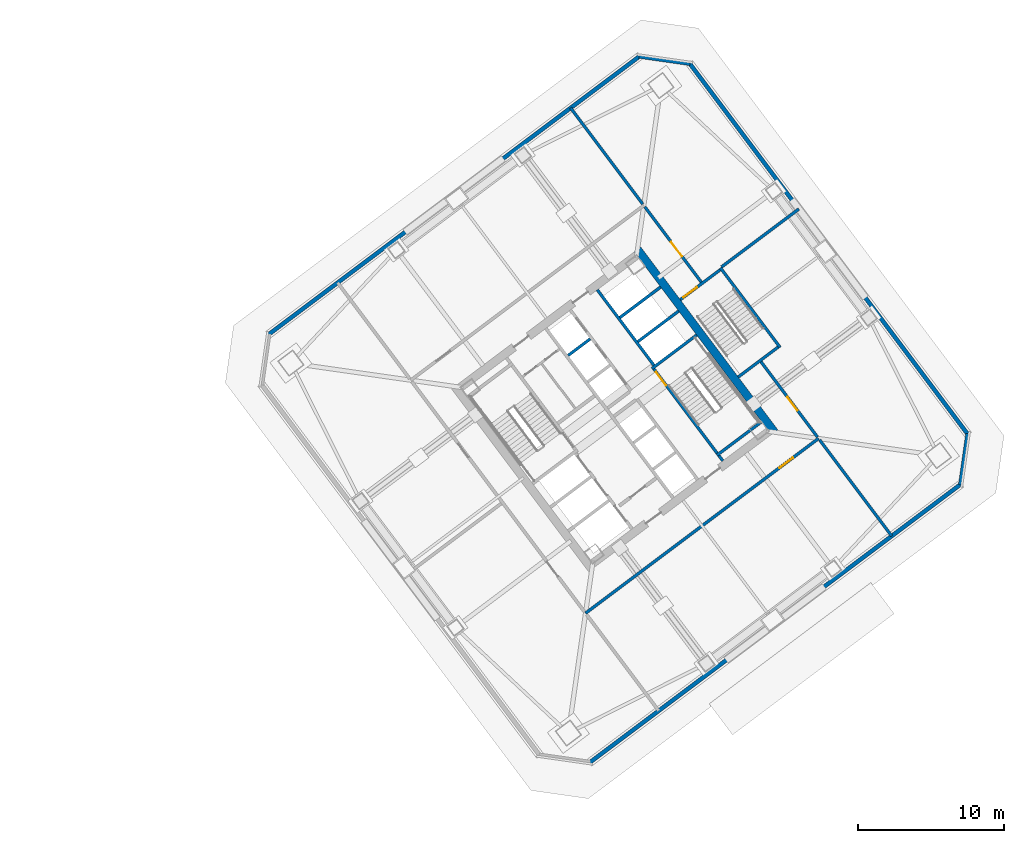
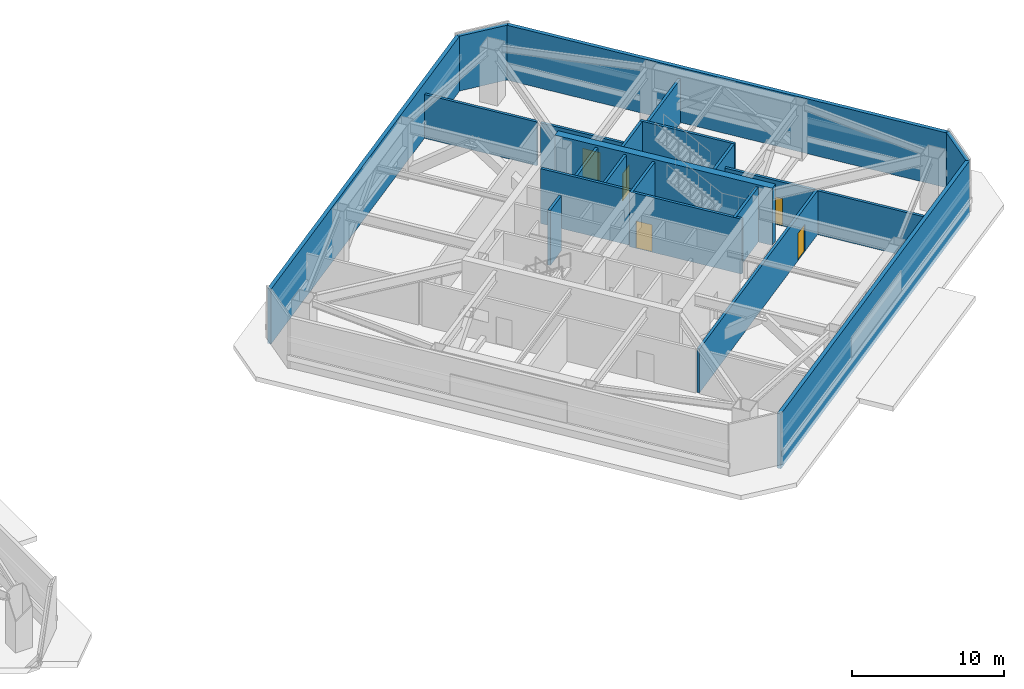
# One storey, part 8 of 15: 22 walls, 5 doors, 5 openings.
"""IFC4 building model written with IfcOpenShell, lengths in metres."""

from ifc_helpers import new_model, si_unit, direction, frame, frame_2d, origin, place, context, subcontext, project, spatial, rectangle, extrude, material, layer, layer_set, type_object, element, fill, save


model = new_model("IFC4")

# Units and contexts
model_context = context("Model", 3, precision=1e-05, world=origin(), true_north=direction((0.0, 1.0)))
body_context = subcontext(model_context, "Body", "Model", "MODEL_VIEW")
ifc_project = project(units=[si_unit("LENGTHUNIT", "METRE"), si_unit("AREAUNIT", "SQUARE_METRE"), si_unit("VOLUMEUNIT", "CUBIC_METRE"), si_unit("PLANEANGLEUNIT", "RADIAN"), si_unit("MASSUNIT", "GRAM", prefix="KILO")], contexts=[model_context])

# Site, building, storey
site_placement = place(None, origin())
site = spatial("IfcSite", under=ifc_project, at=site_placement, CompositionType="ELEMENT")
building_placement = place(site_placement, origin())
building = spatial("IfcBuilding", under=site, at=building_placement, Name="Tashvorn Skyway Center", CompositionType="ELEMENT")
storey_placement = place(building_placement, frame((0.0, 0.0, 109.800048828125)))
storey = spatial("IfcBuildingStorey", under=building, at=storey_placement, Name="L29", CompositionType="ELEMENT", Elevation=109.800048828125)

# Walls
ifc_material_1 = material(Name="Concrete C60/75", Category="concrete")
ifc_layer_1 = layer(ifc_material_1, 0.550048828125)
ifc_layer_set_1 = layer_set([ifc_layer_1], Name="Concrete C60/75")
wall_type_1 = type_object("IfcWallType", Name="WALL-CORE-550", PredefinedType="SHEAR", material=ifc_layer_set_1)
wall_1_placement = place(storey_placement, frame((115.56396484375, 42.923095703125, 0.0), z_axis=(0.0, 0.0, 1.0), x_axis=(0.600005007985, -0.799996243986, 0.0)))
element("IfcWall", 1, at=wall_1_placement, inside=storey, type_object=wall_type_1, Name="Tower 2 L29 East Core Shear Wall", PredefinedType="SHEAR", context=body_context, shape_type="SweptSolid", body=[
    extrude(rectangle(XDim=15.60009765625, YDim=0.550048828125, at=frame_2d((7.800048828125, 0.0))), origin(), (0.0, 0.0, 1.0), 4.599853515625),
])
ifc_material_2 = material(Name="Precast concrete C40/50", Category="concrete")
ifc_layer_2 = layer(ifc_material_2, 0.280029296875)
ifc_layer_set_2 = layer_set([ifc_layer_2], Name="Precast concrete C40/50")
wall_type_2 = type_object("IfcWallType", Name="WALL-EXT-280", PredefinedType="SOLIDWALL", material=ifc_layer_set_2)
for number, where, z_axis, x_axis, name in (
    (2, (137.672119140625, 26.904052734375, 0.0), (0.0, 0.0, 1.0), (-0.8, -0.6, 0.0), "Tower 2 L29 South Mechanical Belt Wall"),
    (3, (90.327880859375, 37.095947265625, 0.0), (0.0, 0.0, 1.0), (0.8, 0.6, 0.0), "Tower 2 L29 North Mechanical Belt Wall"),
    (4, (119.095947265625, 55.672119140625, 0.0), (0.0, 0.0, 1.0), (0.6, -0.8, 0.0), "Tower 2 L29 East Mechanical Belt Wall"),
):
    element("IfcWall", number, at=place(storey_placement, frame(where, z_axis=z_axis, x_axis=x_axis)), inside=storey, type_object=wall_type_2, Name=name, PredefinedType="SOLIDWALL", context=body_context, shape_type="SweptSolid", body=[
        extrude(rectangle(XDim=31.76025390625, YDim=0.280029296875, at=frame_2d((15.880126953125, 0.0))), origin(), (0.0, 0.0, 1.0), 4.419921875),
    ])
for number, where, z_axis, x_axis, name in (
    (5, (115.659912109375, 56.1201171875, 0.0), (0.0, 0.0, 1.0), (0.989949493661, -0.141421356237, 0.0), "Tower 2 L29 NE Precast Chamfer Wall"),
    (6, (138.1201171875, 30.340087890625, 0.0), (0.0, 0.0, 1.0), (-0.141421356237, -0.989949493661, 0.0), "Tower 2 L29 SE Precast Chamfer Wall"),
):
    element("IfcWall", number, at=place(storey_placement, frame(where, z_axis=z_axis, x_axis=x_axis)), inside=storey, type_object=wall_type_2, Name=name, PredefinedType="SOLIDWALL", context=body_context, shape_type="SweptSolid", body=[
        extrude(rectangle(XDim=3.53564453125, YDim=0.280029296875, at=frame_2d((1.767822265625, 0.0))), origin(), (0.0, 0.0, 1.0), 4.419921875),
    ])
ifc_material_3 = material(Name="Concrete C40/50", Category="concrete")
ifc_layer_3 = layer(ifc_material_3, 0.199951171875)
ifc_layer_set_3 = layer_set([ifc_layer_3], Name="Concrete C40/50")
wall_type_3 = type_object("IfcWallType", Name="WALL-SHAFT-200", PredefinedType="SOLIDWALL", material=ifc_layer_set_3)
for number, where, z_axis, x_axis, name in (
    (7, (115.590087890625, 36.6298828125, 0.0), (0.0, 0.0, 1.0), (0.799974743577, 0.600033673754, 0.0), "Tower 2 L29 High-Rise Shaft Divider"),
    (8, (114.360107421875, 38.27001953125, 0.0), (0.0, 0.0, 1.0), (0.800008418847, 0.599988774707, 0.0), "Tower 2 L29 High-Rise Shaft Divider"),
):
    element("IfcWall", number, at=place(storey_placement, frame(where, z_axis=z_axis, x_axis=x_axis)), inside=storey, type_object=wall_type_3, Name=name, PredefinedType="SOLIDWALL", context=body_context, shape_type="SweptSolid", body=[
        extrude(rectangle(XDim=3.47998046875, YDim=0.199951171875, at=frame_2d((1.739990234375, 0.0))), origin(), (0.0, 0.0, 1.0), 4.419921875),
    ])
wall_2_placement = place(storey_placement, frame((110.825927734375, 35.681884765625, 0.0), z_axis=(0.0, 0.0, 1.0), x_axis=(0.799984418148, 0.600020775241, 0.0)))
element("IfcWall", 9, at=wall_2_placement, inside=storey, type_object=wall_type_3, Name="Tower 2 L29 Mid-Rise Shaft Divider", PredefinedType="SOLIDWALL", context=body_context, shape_type="SweptSolid", body=[
    extrude(rectangle(XDim=1.880126953125, YDim=0.199951171875, at=frame_2d((0.93994140625, 0.0))), origin(), (0.0, 0.0, 1.0), 4.419921875),
])

# Wall, opening, door
wall_3_placement = place(storey_placement, frame((127.929931640625, 30.010009765625, 0.0), z_axis=(0.0, 0.0, 1.0), x_axis=(-0.8, -0.6, 0.0)))
wall_3 = element("IfcWall", 10, at=wall_3_placement, inside=storey, type_object=wall_type_3, Name="Tower 2 L29 Plant Corridor South Wall", PredefinedType="SOLIDWALL", context=body_context, shape_type="SweptSolid", body=[
    extrude(rectangle(XDim=19.89990234375, YDim=0.199951171875, at=frame_2d((9.949951171875, 0.0))), origin(), (0.0, 0.0, 1.0), 3.531005859375),
])
opening_1_placement = place(wall_3_placement, frame((2.199951171875, 0.0, 0.0)))
opening_1 = element("IfcOpeningElement", 11, at=opening_1_placement, cuts=wall_3, Name="Opening D-ST-1150", PredefinedType="OPENING", context=body_context, shape_type="SweptSolid", body=[
    extrude(rectangle(XDim=1.14990234375, YDim=2.199951171875, at=frame_2d((0.574951171875, 1.10009765625))), frame((0.0, 0.10986328125, 0.0), z_axis=(0.0, -1.0, 0.0), x_axis=(1.0, 0.0, 0.0)), (0.0, 0.0, 1.0), 0.219970703125),
])
ifc_material_4 = material(Name="Hollow galvanized steel fire door assembly", Category="steel")
door_type_1 = type_object("IfcDoorType", Name="DOOR-STAIR-1150", OperationType="NOTDEFINED", PredefinedType="DOOR", material=ifc_material_4)
door_1_placement = place(opening_1_placement, origin())
door_1 = element("IfcDoor", 12, at=door_1_placement, inside=storey, type_object=door_type_1, Name="Tower 2 L29 Fan Plant Door", OperationType="SINGLE_SWING_RIGHT", OverallHeight=2.199951171875, OverallWidth=1.14990234375, PredefinedType="DOOR", context=body_context, shape_type="SweptSolid", body=[
    extrude(rectangle(XDim=1.14990234375, YDim=2.199951171875, at=frame_2d((0.574951171875, 1.10009765625))), frame((0.0, 0.02490234375, 0.0), z_axis=(0.0, -1.0, 0.0), x_axis=(1.0, 0.0, 0.0)), (0.0, 0.0, 1.0), 0.050048828125),
])
fill(opening_1, door_1)

wall_4_placement = place(storey_placement, frame((116.06201171875, 45.833984375, 0.0), z_axis=(0.0, 0.0, 1.0), x_axis=(0.599987849816, -0.800009112494, 0.0)))
wall_4 = element("IfcWall", 13, at=wall_4_placement, inside=storey, type_object=wall_type_3, Name="Tower 2 L29 Plant Corridor East Wall", PredefinedType="SOLIDWALL", context=body_context, shape_type="SweptSolid", body=[
    extrude(rectangle(XDim=6.429931640625, YDim=0.199951171875, at=frame_2d((3.21484375, 0.0))), origin(), (0.0, 0.0, 1.0), 3.531005859375),
])
opening_2_placement = place(wall_4_placement, frame((3.0, 0.0, 0.0)))
opening_2 = element("IfcOpeningElement", 14, at=opening_2_placement, cuts=wall_4, Name="Opening D-FFL-1250", PredefinedType="OPENING", context=body_context, shape_type="SweptSolid", body=[
    extrude(rectangle(XDim=1.25, YDim=2.25, at=frame_2d((0.625, 1.125))), frame((0.0, 0.10986328125, 0.0), z_axis=(0.0, -1.0, 0.0), x_axis=(1.0, 0.0, 0.0)), (0.0, 0.0, 1.0), 0.219970703125),
])
door_type_2 = type_object("IfcDoorType", Name="DOOR-FFL-1250", OperationType="NOTDEFINED", PredefinedType="DOOR", material=ifc_material_4)
door_2_placement = place(opening_2_placement, origin())
door_2 = element("IfcDoor", 15, at=door_2_placement, inside=storey, type_object=door_type_2, Name="Tower 2 L29 East Refuge Area Door", OperationType="SINGLE_SWING_LEFT", OverallHeight=2.25, OverallWidth=1.25, PredefinedType="DOOR", context=body_context, shape_type="SweptSolid", body=[
    extrude(rectangle(XDim=1.25, YDim=2.25, at=frame_2d((0.625, 1.125))), frame((0.0, 0.02490234375, 0.0), z_axis=(0.0, -1.0, 0.0), x_axis=(1.0, 0.0, 0.0)), (0.0, 0.0, 1.0), 0.050048828125),
])
fill(opening_2, door_2)

wall_5_placement = place(storey_placement, frame((124.0, 35.25, 0.0), z_axis=(0.0, 0.0, 1.0), x_axis=(0.599987849816, -0.800009112494, 0.0)))
wall_5 = element("IfcWall", 16, at=wall_5_placement, inside=storey, type_object=wall_type_3, Name="Tower 2 L29 Plant Corridor East Wall South", PredefinedType="SOLIDWALL", context=body_context, shape_type="SweptSolid", body=[
    extrude(rectangle(XDim=6.429931640625, YDim=0.199951171875, at=frame_2d((3.21484375, 0.0))), origin(), (0.0, 0.0, 1.0), 3.531005859375),
])
opening_3_placement = place(wall_5_placement, frame((3.0, 0.0, 0.0)))
opening_3 = element("IfcOpeningElement", 17, at=opening_3_placement, cuts=wall_5, Name="Opening D-ST-1150", PredefinedType="OPENING", context=body_context, shape_type="SweptSolid", body=[
    extrude(rectangle(XDim=1.14990234375, YDim=2.199951171875, at=frame_2d((0.574951171875, 1.10009765625))), frame((0.0, 0.10986328125, 0.0), z_axis=(0.0, -1.0, 0.0), x_axis=(1.0, 0.0, 0.0)), (0.0, 0.0, 1.0), 0.219970703125),
])
door_3_placement = place(opening_3_placement, origin())
door_3 = element("IfcDoor", 18, at=door_3_placement, inside=storey, type_object=door_type_1, Name="Tower 2 L29 Switchgear Plant Door", OperationType="SINGLE_SWING_RIGHT", OverallHeight=2.199951171875, OverallWidth=1.14990234375, PredefinedType="DOOR", context=body_context, shape_type="SweptSolid", body=[
    extrude(rectangle(XDim=1.14990234375, YDim=2.199951171875, at=frame_2d((0.574951171875, 1.10009765625))), frame((0.0, 0.02490234375, 0.0), z_axis=(0.0, -1.0, 0.0), x_axis=(1.0, 0.0, 0.0)), (0.0, 0.0, 1.0), 0.050048828125),
])
fill(opening_3, door_3)

# Walls
for number, where, z_axis, x_axis, name in (
    (19, (115.91796875, 46.02587890625, 0.0), (0.0, 0.0, 1.0), (-0.599995242134, 0.800003568377, 0.0), "Tower 2 L29 Plant Radial NE"),
    (20, (128.001953125, 29.9140625, 0.0), (0.0, 0.0, 1.0), (0.599995242134, -0.800003568377, 0.0), "Tower 2 L29 Plant Radial SE"),
):
    element("IfcWall", number, at=place(storey_placement, frame(where, z_axis=z_axis, x_axis=x_axis)), inside=storey, type_object=wall_type_3, Name=name, PredefinedType="SOLIDWALL", context=body_context, shape_type="SweptSolid", body=[
        extrude(rectangle(XDim=8.210205078125, YDim=0.199951171875, at=frame_2d((4.10498046875, 0.0))), origin(), (0.0, 0.0, 1.0), 3.531005859375),
    ])
wall_6_placement = place(storey_placement, frame((121.303955078125, 41.72802734375, 0.0), z_axis=(0.0, 0.0, 1.0), x_axis=(0.800004438899, 0.599994081423, 0.0)))
element("IfcWall", 21, at=wall_6_placement, inside=storey, type_object=wall_type_3, Name="Tower 2 L29 Refuge East Fire Wall", PredefinedType="SOLIDWALL", context=body_context, shape_type="SweptSolid", body=[
    extrude(rectangle(XDim=6.60009765625, YDim=0.199951171875, at=frame_2d((3.300048828125, 0.0))), origin(), (0.0, 0.0, 1.0), 3.531005859375),
])

# Wall, opening, door
ifc_layer_4 = layer(ifc_material_3, 0.199951171875)
ifc_layer_set_4 = layer_set([ifc_layer_4], Name="Concrete C40/50")
wall_type_4 = type_object("IfcWallType", Name="WALL-STSHF-200", PredefinedType="SHEAR", material=ifc_layer_set_4)
wall_7_placement = place(storey_placement, frame((116.56005859375, 34.919921875, 0.0), z_axis=(0.0, 0.0, 1.0), x_axis=(0.59999029481, -0.8000072788, 0.0)))
wall_7 = element("IfcWall", 22, at=wall_7_placement, inside=storey, type_object=wall_type_4, Name="Tower 2 L29 Stair 2 Enclosure Wall", PredefinedType="SHEAR", context=body_context, shape_type="SweptSolid", body=[
    extrude(rectangle(XDim=8.0498046875, YDim=0.199951171875, at=frame_2d((4.02490234375, 0.0))), origin(), (0.0, 0.0, 1.0), 4.419921875),
])
opening_4_placement = place(wall_7_placement, frame((0.449951171875, 0.0, 0.0)))
opening_4 = element("IfcOpeningElement", 23, at=opening_4_placement, cuts=wall_7, Name="Opening D-ST-1150", PredefinedType="OPENING", context=body_context, shape_type="SweptSolid", body=[
    extrude(rectangle(XDim=1.14990234375, YDim=2.199951171875, at=frame_2d((0.574951171875, 1.10009765625))), frame((0.0, 0.10986328125, 0.0), z_axis=(0.0, -1.0, 0.0), x_axis=(1.0, 0.0, 0.0)), (0.0, 0.0, 1.0), 0.219970703125),
])
door_4_placement = place(opening_4_placement, origin())
door_4 = element("IfcDoor", 24, at=door_4_placement, inside=storey, type_object=door_type_1, Name="Tower 2 L29 Exit Stair 2 Door", OperationType="SINGLE_SWING_RIGHT", OverallHeight=2.199951171875, OverallWidth=1.14990234375, PredefinedType="DOOR", context=body_context, shape_type="SweptSolid", body=[
    extrude(rectangle(XDim=1.14990234375, YDim=2.199951171875, at=frame_2d((0.574951171875, 1.10009765625))), frame((0.0, 0.02490234375, 0.0), z_axis=(0.0, -1.0, 0.0), x_axis=(1.0, 0.0, 0.0)), (0.0, 0.0, 1.0), 0.050048828125),
])
fill(opening_4, door_4)

# Walls
for number, where, z_axis, x_axis, name in (
    (25, (116.5400390625, 34.780029296875, 0.0), (0.0, 0.0, 1.0), (0.800015298837, 0.599979601008, 0.0), "Tower 2 L29 Stair 2 North Wall"),
    (26, (120.97998046875, 28.860107421875, 0.0), (0.0, 0.0, 1.0), (0.800015298837, 0.599979601008, 0.0), "Tower 2 L29 Stair 2 South Wall"),
):
    element("IfcWall", number, at=place(storey_placement, frame(where, z_axis=z_axis, x_axis=x_axis)), inside=storey, type_object=wall_type_4, Name=name, PredefinedType="SHEAR", context=body_context, shape_type="SweptSolid", body=[
        extrude(rectangle(XDim=3.829833984375, YDim=0.199951171875, at=frame_2d((1.9150390625, 0.0))), origin(), (0.0, 0.0, 1.0), 4.419921875),
    ])
wall_8_placement = place(storey_placement, frame((112.81005859375, 40.169921875, 0.0), z_axis=(0.0, 0.0, 1.0), x_axis=(0.599993943644, -0.800004542231, 0.0)))
element("IfcWall", 27, at=wall_8_placement, inside=storey, type_object=wall_type_4, Name="Tower 2 L29 High-Rise Lift Shaft Front Wall", PredefinedType="SHEAR", context=body_context, shape_type="SweptSolid", body=[
    extrude(rectangle(XDim=6.449951171875, YDim=0.199951171875, at=frame_2d((3.22509765625, 0.0))), origin(), (0.0, 0.0, 1.0), 4.419921875),
])
wall_9_placement = place(storey_placement, frame((125.303955078125, 36.22802734375, 0.0), z_axis=(0.0, 0.0, 1.0), x_axis=(-0.59998851072, 0.800008616831, 0.0)))
element("IfcWall", 28, at=wall_9_placement, inside=storey, type_object=wall_type_4, Name="Tower 2 L29 Stair 3 Outer Wall", PredefinedType="SHEAR", context=body_context, shape_type="SweptSolid", body=[
    extrude(rectangle(XDim=6.7998046875, YDim=0.199951171875, at=frame_2d((3.39990234375, 0.0))), origin(), (0.0, 0.0, 1.0), 4.419921875),
])

# Wall, opening, door
wall_10_placement = place(storey_placement, frame((121.2041015625, 41.528076171875, 0.0), z_axis=(0.0, 0.0, 1.0), x_axis=(-0.800017232136, -0.599977023131, 0.0)))
wall_10 = element("IfcWall", 29, at=wall_10_placement, inside=storey, type_object=wall_type_4, Name="Tower 2 L29 Stair 3 Enclosure Wall", PredefinedType="SHEAR", context=body_context, shape_type="SweptSolid", body=[
    extrude(rectangle(XDim=3.400146484375, YDim=0.199951171875, at=frame_2d((1.7001953125, 0.0))), origin(), (0.0, 0.0, 1.0), 4.419921875),
])
opening_5_placement = place(wall_10_placement, frame((1.97509765625, 0.0, 0.0)))
opening_5 = element("IfcOpeningElement", 30, at=opening_5_placement, cuts=wall_10, Name="Opening D-ST-1150", PredefinedType="OPENING", context=body_context, shape_type="SweptSolid", body=[
    extrude(rectangle(XDim=1.14990234375, YDim=2.199951171875, at=frame_2d((0.574951171875, 1.10009765625))), frame((0.0, 0.10986328125, 0.0), z_axis=(0.0, -1.0, 0.0), x_axis=(1.0, 0.0, 0.0)), (0.0, 0.0, 1.0), 0.219970703125),
])
door_5_placement = place(opening_5_placement, origin())
door_5 = element("IfcDoor", 31, at=door_5_placement, inside=storey, type_object=door_type_1, Name="Tower 2 L29 Exit Stair 3 Door", OperationType="SINGLE_SWING_RIGHT", OverallHeight=2.199951171875, OverallWidth=1.14990234375, PredefinedType="DOOR", context=body_context, shape_type="SweptSolid", body=[
    extrude(rectangle(XDim=1.14990234375, YDim=2.199951171875, at=frame_2d((0.574951171875, 1.10009765625))), frame((0.0, 0.02490234375, 0.0), z_axis=(0.0, -1.0, 0.0), x_axis=(1.0, 0.0, 0.0)), (0.0, 0.0, 1.0), 0.050048828125),
])
fill(opening_5, door_5)

# Wall
wall_11_placement = place(storey_placement, frame((122.444091796875, 34.2080078125, 0.0), z_axis=(0.0, 0.0, 1.0), x_axis=(0.79999138319, 0.600011488909, 0.0)))
element("IfcWall", 32, at=wall_11_placement, inside=storey, type_object=wall_type_4, Name="Tower 2 L29 Stair 3 South Wall", PredefinedType="SHEAR", context=body_context, shape_type="SweptSolid", body=[
    extrude(rectangle(XDim=3.39990234375, YDim=0.199951171875, at=frame_2d((1.699951171875, 0.0))), origin(), (0.0, 0.0, 1.0), 4.419921875),
])

save(model, "model.ifc")
